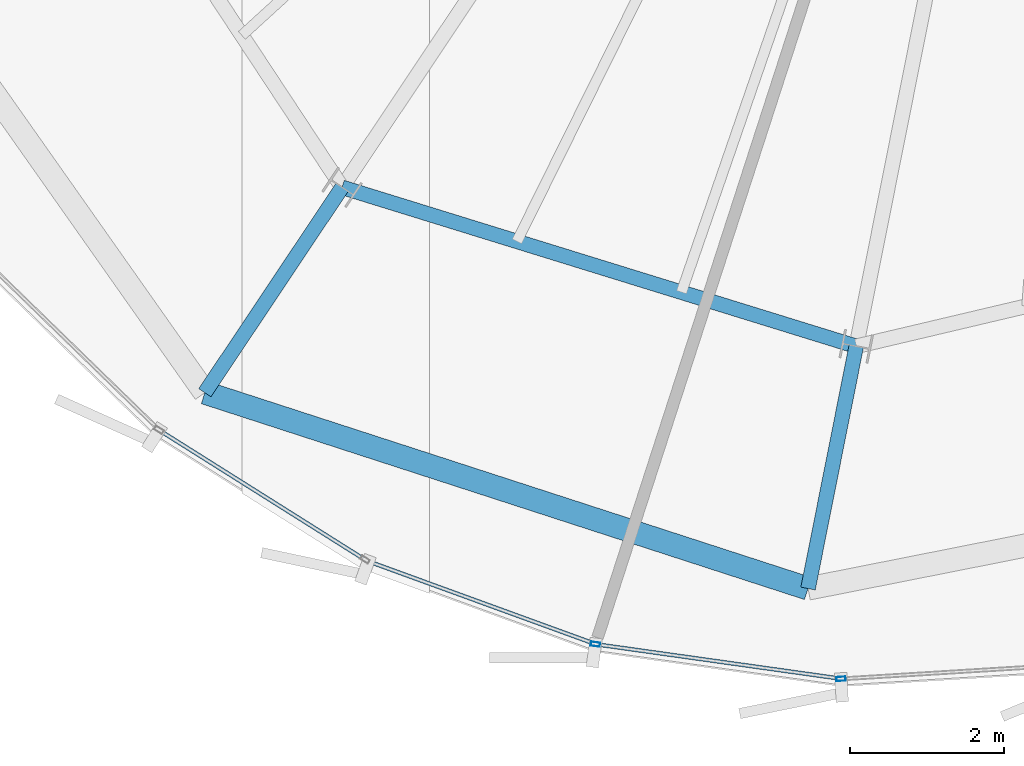
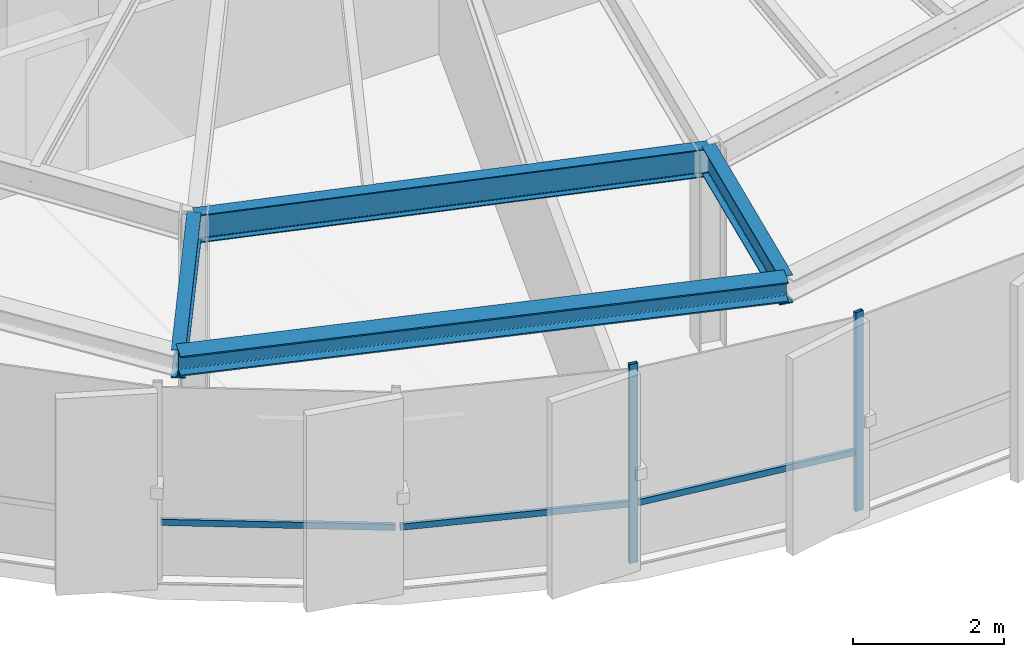
# One storey, part 3 of 31: 5 members, 4 beams, 2 elements without a shape of their own.
"""IFC4 building model written with IfcOpenShell, lengths in metres."""

from ifc_helpers import new_model, si_unit, direction, frame, origin, origin_2d, place, context, subcontext, project, spatial, hollow_rectangle, i_section, extrude, source, transform, mapped, material, layer, layer_set, material_profile, profile_set, type_object, element, aggregate, save


model = new_model("IFC4")

# Units and contexts
model_context = context("Model", 3, precision=1e-05, world=origin(), true_north=direction((0.0, 1.0)))
body_context = subcontext(model_context, "Body", "Model", "MODEL_VIEW")
ifc_project = project(units=[si_unit("LENGTHUNIT", "METRE"), si_unit("AREAUNIT", "SQUARE_METRE"), si_unit("VOLUMEUNIT", "CUBIC_METRE"), si_unit("PLANEANGLEUNIT", "RADIAN"), si_unit("MASSUNIT", "GRAM", prefix="KILO"), si_unit("THERMODYNAMICTEMPERATUREUNIT", "KELVIN")], contexts=[model_context])

# Site, building, storey
site_placement = place(None, origin())
site = spatial("IfcSite", under=ifc_project, at=site_placement, CompositionType="ELEMENT")
building_placement = place(site_placement, origin())
building = spatial("IfcBuilding", under=site, at=building_placement, Name="Kethvar Cultural Tower", CompositionType="ELEMENT")
storey_placement = place(building_placement, frame((0.0, 0.0, 290.5)))
storey = spatial("IfcBuildingStorey", under=building, at=storey_placement, Name="L77", CompositionType="ELEMENT", Elevation=290.5)

# Beams
ifc_material_1 = material(Name="Steel S355J2", Category="steel")
ifc_material_profile_1 = material_profile(ifc_material_1, i_section(OverallWidth=0.18994140625, OverallDepth=0.449951171875, WebThickness=0.009521484375, FlangeThickness=0.0146484375, FilletRadius=0.02099609375, at=origin_2d()), Name="Steel S355J2 — IPE450")
ifc_profile_set_1 = profile_set([ifc_material_profile_1], Name="Steel S355J2 — IPE450")
beam_type_1 = type_object("IfcBeamType", Name="BM-IPE450", PredefinedType="BEAM", material=ifc_profile_set_1)
shared_shape_1 = source(origin(), body_context, "Body", "SweptSolid", [
    extrude(i_section(OverallWidth=0.18994140625, OverallDepth=0.449951171875, WebThickness=0.009521484375, FlangeThickness=0.0146484375, FilletRadius=0.02099609375, at=origin_2d()), origin(), (0.0, 0.0, 1.0), 3.199951171875),
])
beam_1_placement = place(storey_placement, frame((36.731201171875, 12.73095703125, 2.98291015625), z_axis=(-0.555580212716, -0.831462943996, 0.0), x_axis=(0.831462943996, -0.555580212716, 0.0)))
element("IfcBeam", 1, at=beam_1_placement, inside=storey, type_object=beam_type_1, Name="L77 Perimeter Cantilever Beam RC-11", PredefinedType="BEAM", context=body_context, shape_type="MappedRepresentation", body=[
    mapped(shared_shape_1, transform((0.0, 0.0, 0.0), scale=1.0)),
])
shared_shape_2 = source(origin(), body_context, "Body", "SweptSolid", [
    extrude(i_section(OverallWidth=0.18994140625, OverallDepth=0.449951171875, WebThickness=0.009521484375, FlangeThickness=0.0146484375, FilletRadius=0.02099609375, at=origin_2d()), origin(), (0.0, 0.0, 1.0), 3.2001953125),
])
beam_2_placement = place(storey_placement, frame((43.392822265625, 10.67138671875, 2.98291015625), z_axis=(-0.195074368086, -0.980788453702, 0.0), x_axis=(0.980788453702, -0.195074368086, 0.0)))
element("IfcBeam", 2, at=beam_2_placement, inside=storey, type_object=beam_type_1, Name="L77 Perimeter Cantilever Beam RC-12", PredefinedType="BEAM", context=body_context, shape_type="MappedRepresentation", body=[
    mapped(shared_shape_2, transform((0.0, 0.0, 0.0), scale=1.0)),
])
shared_shape_3 = source(origin(), body_context, "Body", "SweptSolid", [
    extrude(i_section(OverallWidth=0.18994140625, OverallDepth=0.449951171875, WebThickness=0.009521484375, FlangeThickness=0.0146484375, FilletRadius=0.02099609375, at=origin_2d()), origin(), (0.0, 0.0, 1.0), 6.97265625),
])
beam_3_placement = place(storey_placement, frame((36.731201171875, 12.73095703125, 2.98291015625), z_axis=(0.955381444404, -0.295374839295, 0.0), x_axis=(0.295374839295, 0.955381444404, 0.0)))
element("IfcBeam", 3, at=beam_3_placement, inside=storey, type_object=beam_type_1, Name="L77 Column Ring Tie Beam CR-11", PredefinedType="BEAM", context=body_context, shape_type="MappedRepresentation", body=[
    mapped(shared_shape_3, transform((0.0, 0.0, 0.0), scale=1.0)),
])
ifc_material_profile_2 = material_profile(ifc_material_1, i_section(OverallWidth=0.300048828125, OverallDepth=0.320068359375, WebThickness=0.011474609375, FlangeThickness=0.0205078125, FilletRadius=0.027099609375, at=origin_2d()), Name="Steel S355J2 — HEB320")
ifc_profile_set_2 = profile_set([ifc_material_profile_2], Name="Steel S355J2 — HEB320")
beam_type_2 = type_object("IfcBeamType", Name="BM-SP320", PredefinedType="SPANDREL", material=ifc_profile_set_2)
shared_shape_4 = source(origin(), body_context, "Body", "SweptSolid", [
    extrude(i_section(OverallWidth=0.300048828125, OverallDepth=0.320068359375, WebThickness=0.011474609375, FlangeThickness=0.0205078125, FilletRadius=0.027099609375, at=origin_2d()), origin(), (0.0, 0.0, 1.0), 8.216796875),
])
beam_4_placement = place(storey_placement, frame((34.953369140625, 10.0703125, 3.048095703125), z_axis=(0.951117661456, -0.30882874553, 0.0), x_axis=(0.30882874553, 0.951117661456, 0.0)))
element("IfcBeam", 4, at=beam_4_placement, inside=storey, type_object=beam_type_2, Name="L77 Perimeter Spandrel Beam SP-11", PredefinedType="SPANDREL", context=body_context, shape_type="MappedRepresentation", body=[
    mapped(shared_shape_4, transform((0.0, 0.0, 0.0), scale=1.0)),
])

# Curtain wall, members
ifc_material_2 = material(Name="Aluminium 6063-T6", Category="aluminium")
ifc_layer = layer(ifc_material_2, 0.179931640625, Name="Aluminium 6063-T6", Category="aluminium")
ifc_layer_set = layer_set([ifc_layer], Name="Aluminium 6063-T6 (180 mm)")
curtain_wall_type = type_object("IfcCurtainWallType", Name="CW-SYS-05-Z56", PredefinedType="NOTDEFINED", material=ifc_layer_set)
curtain_wall_1_placement = place(storey_placement, origin())
curtain_wall_1 = element("IfcCurtainWall", 5, at=curtain_wall_1_placement, inside=storey, type_object=curtain_wall_type, Name="L77 Curtain Wall Run 04", PredefinedType="NOTDEFINED")
ifc_material_profile_3 = material_profile(ifc_material_2, hollow_rectangle(XDim=0.054931640625, YDim=0.1201171875, WallThickness=0.00390625, at=origin_2d()), Name="Aluminium 6063-T6 — RHS120x55x4")
ifc_profile_set_3 = profile_set([ifc_material_profile_3], Name="Aluminium 6063-T6 — RHS120x55x4")
member_type_1 = type_object("IfcMemberType", Name="CW-SYS-05-Z56-MUL", PredefinedType="MULLION", material=ifc_profile_set_3)
shared_shape_5 = source(origin(), body_context, "Body", "SweptSolid", [
    extrude(hollow_rectangle(XDim=0.054931640625, YDim=0.1201171875, WallThickness=0.00390625, at=origin_2d()), origin(), (0.0, 0.0, 1.0), 3.2099609375),
])
member_1_placement = place(storey_placement, frame((40.012939453125, 6.811279296875, 0.0), z_axis=(0.0, 0.0, 1.0), x_axis=(0.13917310096, 0.990268068742, 0.0)))
member_1 = element("IfcMember", 6, at=member_1_placement, type_object=member_type_1, Name="CW-L77-R04 Mullion 2", PredefinedType="MULLION", context=body_context, shape_type="MappedRepresentation", body=[
    mapped(shared_shape_5, transform((0.0, 0.0, 0.0), scale=1.0)),
])
member_2_placement = place(storey_placement, frame((43.19482421875, 6.3623046875, 0.0), z_axis=(0.0, 0.0, 1.0), x_axis=(-0.06160599362, 0.998100546814, 0.0)))
member_2 = element("IfcMember", 7, at=member_2_placement, type_object=member_type_1, Name="CW-L77-R04 Mullion 3", PredefinedType="MULLION", context=body_context, shape_type="MappedRepresentation", body=[
    mapped(shared_shape_5, transform((0.0, 0.0, 0.0), scale=1.0)),
])

# Curtain wall, member
curtain_wall_2_placement = place(storey_placement, origin())
curtain_wall_2 = element("IfcCurtainWall", 8, at=curtain_wall_2_placement, inside=storey, type_object=curtain_wall_type, Name="L77 Curtain Wall Run 03", PredefinedType="NOTDEFINED")
ifc_material_profile_4 = material_profile(ifc_material_2, hollow_rectangle(XDim=0.050048828125, YDim=0.10009765625, WallThickness=0.00390625, at=origin_2d()), Name="Aluminium 6063-T6 — RHS100x50x4")
ifc_profile_set_4 = profile_set([ifc_material_profile_4], Name="Aluminium 6063-T6 — RHS100x50x4")
member_type_2 = type_object("IfcMemberType", Name="CW-SYS-05-Z56-TRN", PredefinedType="USERDEFINED", material=ifc_profile_set_4)
shared_shape_6 = source(origin(), body_context, "Body", "SweptSolid", [
    extrude(hollow_rectangle(XDim=0.050048828125, YDim=0.10009765625, WallThickness=0.00390625, at=origin_2d()), origin(), (0.0, 0.0, 1.0), 3.108642578125),
])
member_3_placement = place(storey_placement, frame((34.392578125, 9.56494140625, 0.949951171875), z_axis=(0.846299719839, -0.532707034119, 0.0), x_axis=(0.532707034119, 0.846299719839, 0.0)))
member_3 = element("IfcMember", 9, at=member_3_placement, type_object=member_type_2, Name="CW-L77-R03 Transom 6", ObjectType="TRANSOM", PredefinedType="USERDEFINED", context=body_context, shape_type="MappedRepresentation", body=[
    mapped(shared_shape_6, transform((0.0, 0.0, 0.0), scale=1.0)),
])
aggregate(curtain_wall_2, [member_3])

# Member
member_4_placement = place(storey_placement, frame((37.0751953125, 7.883544921875, 0.949951171875), z_axis=(0.939630507813, -0.342190749126, 0.0), x_axis=(0.342190749126, 0.939630507813, 0.0)))
member_4 = element("IfcMember", 10, at=member_4_placement, type_object=member_type_2, Name="CW-L77-R04 Transom 1", ObjectType="TRANSOM", PredefinedType="USERDEFINED", context=body_context, shape_type="MappedRepresentation", body=[
    mapped(shared_shape_6, transform((0.0, 0.0, 0.0), scale=1.0)),
])

shared_shape_7 = source(origin(), body_context, "Body", "SweptSolid", [
    extrude(hollow_rectangle(XDim=0.050048828125, YDim=0.10009765625, WallThickness=0.00390625, at=origin_2d()), origin(), (0.0, 0.0, 1.0), 3.154296875),
])
member_5_placement = place(storey_placement, frame((40.05224609375, 6.805908203125, 0.949951171875), z_axis=(0.990268916126, -0.139167071377, 0.0), x_axis=(0.139167071377, 0.990268916126, 0.0)))
member_5 = element("IfcMember", 11, at=member_5_placement, type_object=member_type_2, Name="CW-L77-R04 Transom 2", ObjectType="TRANSOM", PredefinedType="USERDEFINED", context=body_context, shape_type="MappedRepresentation", body=[
    mapped(shared_shape_7, transform((0.0, 0.0, 0.0), scale=1.0)),
])

aggregate(curtain_wall_1, [member_1, member_2, member_4, member_5])

save(model, "model.ifc")
